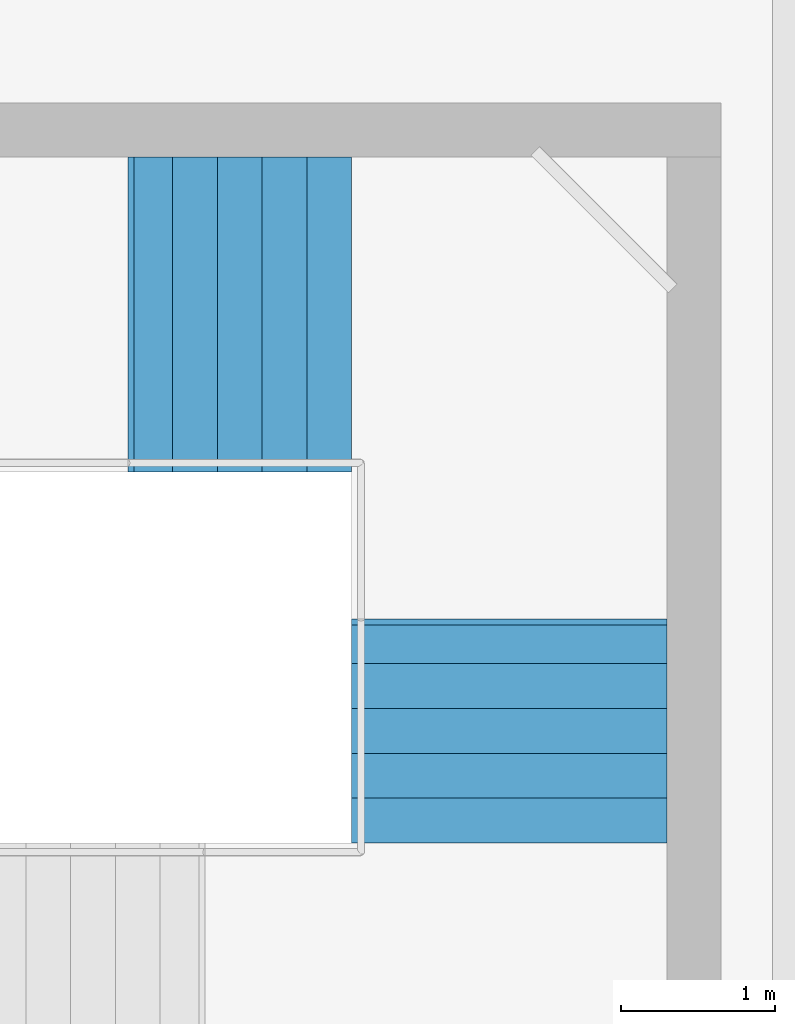
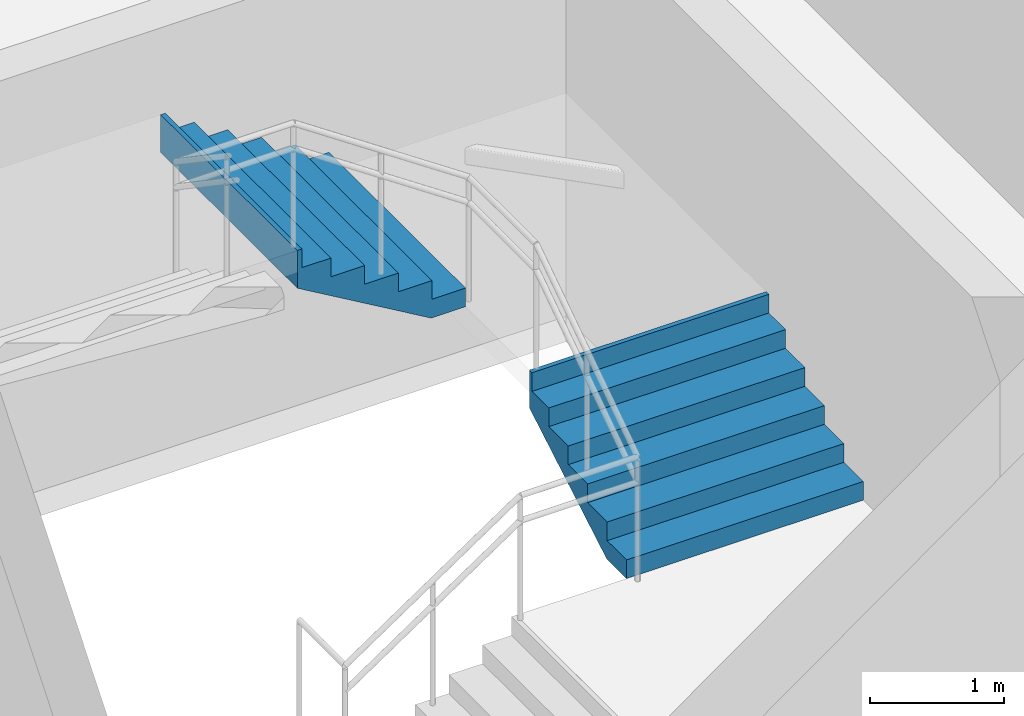
# One storey, part 63 of 66: 2 stair flights, 1 element without a shape of its own.
"""IFC4 building model written with IfcOpenShell, lengths in metres."""

from ifc_helpers import new_model, si_unit, direction, frame, origin, place, context, subcontext, project, spatial, triangles, material, type_object, element, aggregate, save


model = new_model("IFC4")

# Units and contexts
model_context = context("Model", 3, precision=1e-05, world=origin(), true_north=direction((0.0, 1.0)))
body_context = subcontext(model_context, "Body", "Model", "MODEL_VIEW")
ifc_project = project(units=[si_unit("LENGTHUNIT", "METRE"), si_unit("AREAUNIT", "SQUARE_METRE"), si_unit("VOLUMEUNIT", "CUBIC_METRE"), si_unit("PLANEANGLEUNIT", "RADIAN"), si_unit("MASSUNIT", "GRAM", prefix="KILO")], contexts=[model_context])

# Site, building, storey
site_placement = place(None, origin())
site = spatial("IfcSite", under=ifc_project, at=site_placement, CompositionType="ELEMENT")
building_placement = place(site_placement, origin())
building = spatial("IfcBuilding", under=site, at=building_placement, Name="Sillaruma Civic Art Gallery", CompositionType="ELEMENT")
storey_placement = place(building_placement, frame((0.0, 0.0, 62.219970703125)))
storey = spatial("IfcBuildingStorey", under=building, at=storey_placement, Name="L12", CompositionType="ELEMENT", Elevation=62.219970703125)

# Stair, stair flights
ifc_material = material(Name="Concrete H35 (35 MPa)", Category="concrete")
stair_type = type_object("IfcStairType", Name="STR-4F-24", PredefinedType="USERDEFINED", material=ifc_material)
stair_placement = place(storey_placement, origin())
stair = element("IfcStair", 1, at=stair_placement, inside=storey, type_object=stair_type, Name="Protected Exit Stair ST-04 (East Bar) (L12)", ObjectType="THREE_RETURN_STAIR", PredefinedType="USERDEFINED")
stair_flight_type = type_object("IfcStairFlightType", Name="SFL-STR-6", PredefinedType="STRAIGHT", material=ifc_material)
stair_flight_1_placement = place(storey_placement, frame((104.320068359375, 53.25, 1.02001953125), z_axis=(0.0, 0.0, 1.0), x_axis=(0.0, 1.0, 0.0)))
stair_flight_1 = element("IfcStairFlight", 2, at=stair_flight_1_placement, type_object=stair_flight_type, Name="ST-04 flight 2", NumberOfRisers=6, NumberOfTreads=5, PredefinedType="STRAIGHT", RiserHeight=0.17, TreadLength=0.29, context=body_context, shape_type="Tessellation", body=[
    triangles([(0.0, -1.02001953125, 0.0), (0.29, -1.02001953125, 0.0), (0.296365, -1.02001953125, 0.0), (0.58, -1.02001953125, 0.166269), (0.87, -1.02001953125, 0.336269), (1.16, -1.02001953125, 0.506269), (1.409951, -1.02001953125, 0.652792), (1.449951, -1.02001953125, 0.67624), (1.449951, -1.02001953125, 1.02), (1.409951, -1.02001953125, 1.02), (1.409951, -1.02001953125, 0.85), (1.16, -1.02001953125, 0.85), (1.16, -1.02001953125, 0.68), (0.87, -1.02001953125, 0.68), (0.87, -1.02001953125, 0.51), (0.58, -1.02001953125, 0.51), (0.58, -1.02001953125, 0.34), (0.296365, -1.02001953125, 0.34), (0.29, -1.02001953125, 0.34), (0.29, -1.02001953125, 0.17), (0.0, -1.02001953125, 0.17), (0.0, -0.05, 0.0), (0.29, -0.05, 0.0), (0.296365, -0.05, 0.0), (0.58, -0.05, 0.166269), (0.87, -0.05, 0.336269), (1.16, -0.05, 0.506269), (1.409951, -0.05, 0.652792), (1.449951, -0.05, 0.67624), (1.449951, -0.05, 1.02), (1.409951, -0.05, 1.02), (1.409951, -0.05, 0.85), (1.16, -0.05, 0.85), (1.16, -0.05, 0.68), (0.87, -0.05, 0.68), (0.87, -0.05, 0.51), (0.58, -0.05, 0.51), (0.58, -0.05, 0.34), (0.296365, -0.05, 0.34), (0.29, -0.05, 0.34), (0.29, -0.05, 0.17), (0.0, -0.05, 0.17), (0.0, -0.0375, 0.0), (0.29, -0.0375, 0.0), (0.296365, -0.0375, 0.0), (0.58, -0.0375, 0.166269), (0.87, -0.0375, 0.336269), (1.16, -0.0375, 0.506269), (1.409951, -0.0375, 0.652792), (1.449951, -0.0375, 0.67624), (1.449951, -0.0375, 1.02), (1.409951, -0.0375, 1.02), (1.409951, -0.0375, 0.85), (1.16, -0.0375, 0.85), (1.16, -0.0375, 0.68), (0.87, -0.0375, 0.68), (0.87, -0.0375, 0.51), (0.58, -0.0375, 0.51), (0.58, -0.0375, 0.34), (0.296365, -0.0375, 0.34), (0.29, -0.0375, 0.34), (0.29, -0.0375, 0.17), (0.0, -0.0375, 0.17), (0.0, -0.025, 0.0), (0.29, -0.025, 0.0), (0.296365, -0.025, 0.0), (0.58, -0.025, 0.166269), (0.87, -0.025, 0.336269), (1.16, -0.025, 0.506269), (1.409951, -0.025, 0.652792), (1.449951, -0.025, 0.67624), (1.449951, -0.025, 1.02), (1.409951, -0.025, 1.02), (1.409951, -0.025, 0.85), (1.16, -0.025, 0.85), (1.16, -0.025, 0.68), (0.87, -0.025, 0.68), (0.87, -0.025, 0.51), (0.58, -0.025, 0.51), (0.58, -0.025, 0.34), (0.296365, -0.025, 0.34), (0.29, -0.025, 0.34), (0.29, -0.025, 0.17), (0.0, -0.025, 0.17), (0.0, -0.0125, 0.0), (0.29, -0.0125, 0.0), (0.296365, -0.0125, 0.0), (0.58, -0.0125, 0.166269), (0.87, -0.0125, 0.336269), (1.16, -0.0125, 0.506269), (1.409951, -0.0125, 0.652792), (1.449951, -0.0125, 0.67624), (1.449951, -0.0125, 1.02), (1.409951, -0.0125, 1.02), (1.409951, -0.0125, 0.85), (1.16, -0.0125, 0.85), (1.16, -0.0125, 0.68), (0.87, -0.0125, 0.68), (0.87, -0.0125, 0.51), (0.58, -0.0125, 0.51), (0.58, -0.0125, 0.34), (0.296365, -0.0125, 0.34), (0.29, -0.0125, 0.34), (0.29, -0.0125, 0.17), (0.0, -0.0125, 0.17), (0.0, 0.0, 0.0), (0.29, 0.0, 0.0), (0.296365, 0.0, 0.0), (0.58, 0.0, 0.166269), (0.87, 0.0, 0.336269), (1.16, 0.0, 0.506269), (1.409951, 0.0, 0.652792), (1.449951, 0.0, 0.67624), (1.449951, 0.0, 1.02), (1.409951, 0.0, 1.02), (1.409951, 0.0, 0.85), (1.16, 0.0, 0.85), (1.16, 0.0, 0.68), (0.87, 0.0, 0.68), (0.87, 0.0, 0.51), (0.58, 0.0, 0.51), (0.58, 0.0, 0.34), (0.296365, 0.0, 0.34), (0.29, 0.0, 0.34), (0.29, 0.0, 0.17), (0.0, 0.0, 0.17), (0.0, 0.0125, 0.0), (0.29, 0.0125, 0.0), (0.296365, 0.0125, 0.0), (0.58, 0.0125, 0.166269), (0.87, 0.0125, 0.336269), (1.16, 0.0125, 0.506269), (1.409951, 0.0125, 0.652792), (1.449951, 0.0125, 0.67624), (1.449951, 0.0125, 1.02), (1.409951, 0.0125, 1.02), (1.409951, 0.0125, 0.85), (1.16, 0.0125, 0.85), (1.16, 0.0125, 0.68), (0.87, 0.0125, 0.68), (0.87, 0.0125, 0.51), (0.58, 0.0125, 0.51), (0.58, 0.0125, 0.34), (0.296365, 0.0125, 0.34), (0.29, 0.0125, 0.34), (0.29, 0.0125, 0.17), (0.0, 0.0125, 0.17), (0.0, 0.025, 0.0), (0.29, 0.025, 0.0), (0.296365, 0.025, 0.0), (0.58, 0.025, 0.166269), (0.87, 0.025, 0.336269), (1.16, 0.025, 0.506269), (1.409951, 0.025, 0.652792), (1.449951, 0.025, 0.67624), (1.449951, 0.025, 1.02), (1.409951, 0.025, 1.02), (1.409951, 0.025, 0.85), (1.16, 0.025, 0.85), (1.16, 0.025, 0.68), (0.87, 0.025, 0.68), (0.87, 0.025, 0.51), (0.58, 0.025, 0.51), (0.58, 0.025, 0.34), (0.296365, 0.025, 0.34), (0.29, 0.025, 0.34), (0.29, 0.025, 0.17), (0.0, 0.025, 0.17), (0.0, 0.0375, 0.0), (0.29, 0.0375, 0.0), (0.296365, 0.0375, 0.0), (0.58, 0.0375, 0.166269), (0.87, 0.0375, 0.336269), (1.16, 0.0375, 0.506269), (1.409951, 0.0375, 0.652792), (1.449951, 0.0375, 0.67624), (1.449951, 0.0375, 1.02), (1.409951, 0.0375, 1.02), (1.409951, 0.0375, 0.85), (1.16, 0.0375, 0.85), (1.16, 0.0375, 0.68), (0.87, 0.0375, 0.68), (0.87, 0.0375, 0.51), (0.58, 0.0375, 0.51), (0.58, 0.0375, 0.34), (0.296365, 0.0375, 0.34), (0.29, 0.0375, 0.34), (0.29, 0.0375, 0.17), (0.0, 0.0375, 0.17), (0.0, 0.05, 0.0), (0.29, 0.05, 0.0), (0.296365, 0.05, 0.0), (0.58, 0.05, 0.166269), (0.87, 0.05, 0.336269), (1.16, 0.05, 0.506269), (1.409951, 0.05, 0.652792), (1.449951, 0.05, 0.67624), (1.449951, 0.05, 1.02), (1.409951, 0.05, 1.02), (1.409951, 0.05, 0.85), (1.16, 0.05, 0.85), (1.16, 0.05, 0.68), (0.87, 0.05, 0.68), (0.87, 0.05, 0.51), (0.58, 0.05, 0.51), (0.58, 0.05, 0.34), (0.296365, 0.05, 0.34), (0.29, 0.05, 0.34), (0.29, 0.05, 0.17), (0.0, 0.05, 0.17), (0.0, 1.02001953125, 0.0), (0.29, 1.02001953125, 0.0), (0.296365, 1.02001953125, 0.0), (0.58, 1.02001953125, 0.166269), (0.87, 1.02001953125, 0.336269), (1.16, 1.02001953125, 0.506269), (1.409951, 1.02001953125, 0.652792), (1.449951, 1.02001953125, 0.67624), (1.449951, 1.02001953125, 1.02), (1.409951, 1.02001953125, 1.02), (1.409951, 1.02001953125, 0.85), (1.16, 1.02001953125, 0.85), (1.16, 1.02001953125, 0.68), (0.87, 1.02001953125, 0.68), (0.87, 1.02001953125, 0.51), (0.58, 1.02001953125, 0.51), (0.58, 1.02001953125, 0.34), (0.296365, 1.02001953125, 0.34), (0.29, 1.02001953125, 0.34), (0.29, 1.02001953125, 0.17), (0.0, 1.02001953125, 0.17)], [[1, 2, 20], [1, 20, 21], [2, 3, 18], [2, 18, 20], [20, 18, 19], [3, 4, 17], [3, 17, 18], [4, 5, 15], [4, 15, 17], [17, 15, 16], [5, 6, 13], [5, 13, 15], [15, 13, 14], [6, 7, 11], [6, 11, 13], [13, 11, 12], [7, 8, 9], [7, 9, 11], [11, 9, 10], [230, 212, 211], [231, 230, 211], [228, 213, 212], [230, 228, 212], [229, 228, 230], [227, 214, 213], [228, 227, 213], [225, 215, 214], [227, 225, 214], [226, 225, 227], [223, 216, 215], [225, 223, 215], [224, 223, 225], [221, 217, 216], [223, 221, 216], [222, 221, 223], [219, 218, 217], [221, 219, 217], [220, 219, 221], [2, 1, 22], [2, 22, 23], [3, 2, 23], [3, 23, 24], [4, 3, 24], [4, 24, 25], [5, 4, 25], [5, 25, 26], [6, 5, 26], [6, 26, 27], [7, 6, 27], [7, 27, 28], [8, 7, 28], [8, 28, 29], [9, 8, 29], [9, 29, 30], [10, 9, 30], [10, 30, 31], [11, 10, 31], [11, 31, 32], [12, 11, 32], [12, 32, 33], [13, 12, 33], [13, 33, 34], [14, 13, 34], [14, 34, 35], [15, 14, 35], [15, 35, 36], [16, 15, 36], [16, 36, 37], [17, 16, 37], [17, 37, 38], [18, 17, 38], [18, 38, 39], [19, 18, 39], [19, 39, 40], [20, 19, 40], [20, 40, 41], [21, 20, 41], [21, 41, 42], [1, 21, 42], [1, 42, 22], [23, 22, 43], [23, 43, 44], [24, 23, 44], [24, 44, 45], [25, 24, 45], [25, 45, 46], [26, 25, 46], [26, 46, 47], [27, 26, 47], [27, 47, 48], [28, 27, 48], [28, 48, 49], [29, 28, 49], [29, 49, 50], [30, 29, 50], [30, 50, 51], [31, 30, 51], [31, 51, 52], [32, 31, 52], [32, 52, 53], [33, 32, 53], [33, 53, 54], [34, 33, 54], [34, 54, 55], [35, 34, 55], [35, 55, 56], [36, 35, 56], [36, 56, 57], [37, 36, 57], [37, 57, 58], [38, 37, 58], [38, 58, 59], [39, 38, 59], [39, 59, 60], [40, 39, 60], [40, 60, 61], [41, 40, 61], [41, 61, 62], [42, 41, 62], [42, 62, 63], [22, 42, 63], [22, 63, 43], [44, 43, 64], [44, 64, 65], [45, 44, 65], [45, 65, 66], [46, 45, 66], [46, 66, 67], [47, 46, 67], [47, 67, 68], [48, 47, 68], [48, 68, 69], [49, 48, 69], [49, 69, 70], [50, 49, 70], [50, 70, 71], [51, 50, 71], [51, 71, 72], [52, 51, 72], [52, 72, 73], [53, 52, 73], [53, 73, 74], [54, 53, 74], [54, 74, 75], [55, 54, 75], [55, 75, 76], [56, 55, 76], [56, 76, 77], [57, 56, 77], [57, 77, 78], [58, 57, 78], [58, 78, 79], [59, 58, 79], [59, 79, 80], [60, 59, 80], [60, 80, 81], [61, 60, 81], [61, 81, 82], [62, 61, 82], [62, 82, 83], [63, 62, 83], [63, 83, 84], [43, 63, 84], [43, 84, 64], [65, 64, 85], [65, 85, 86], [66, 65, 86], [66, 86, 87], [67, 66, 87], [67, 87, 88], [68, 67, 88], [68, 88, 89], [69, 68, 89], [69, 89, 90], [70, 69, 90], [70, 90, 91], [71, 70, 91], [71, 91, 92], [72, 71, 92], [72, 92, 93], [73, 72, 93], [73, 93, 94], [74, 73, 94], [74, 94, 95], [75, 74, 95], [75, 95, 96], [76, 75, 96], [76, 96, 97], [77, 76, 97], [77, 97, 98], [78, 77, 98], [78, 98, 99], [79, 78, 99], [79, 99, 100], [80, 79, 100], [80, 100, 101], [81, 80, 101], [81, 101, 102], [82, 81, 102], [82, 102, 103], [83, 82, 103], [83, 103, 104], [84, 83, 104], [84, 104, 105], [64, 84, 105], [64, 105, 85], [86, 85, 106], [86, 106, 107], [87, 86, 107], [87, 107, 108], [88, 87, 108], [88, 108, 109], [89, 88, 109], [89, 109, 110], [90, 89, 110], [90, 110, 111], [91, 90, 111], [91, 111, 112], [92, 91, 112], [92, 112, 113], [93, 92, 113], [93, 113, 114], [94, 93, 114], [94, 114, 115], [95, 94, 115], [95, 115, 116], [96, 95, 116], [96, 116, 117], [97, 96, 117], [97, 117, 118], [98, 97, 118], [98, 118, 119], [99, 98, 119], [99, 119, 120], [100, 99, 120], [100, 120, 121], [101, 100, 121], [101, 121, 122], [102, 101, 122], [102, 122, 123], [103, 102, 123], [103, 123, 124], [104, 103, 124], [104, 124, 125], [105, 104, 125], [105, 125, 126], [85, 105, 126], [85, 126, 106], [107, 106, 127], [107, 127, 128], [108, 107, 128], [108, 128, 129], [109, 108, 129], [109, 129, 130], [110, 109, 130], [110, 130, 131], [111, 110, 131], [111, 131, 132], [112, 111, 132], [112, 132, 133], [113, 112, 133], [113, 133, 134], [114, 113, 134], [114, 134, 135], [115, 114, 135], [115, 135, 136], [116, 115, 136], [116, 136, 137], [117, 116, 137], [117, 137, 138], [118, 117, 138], [118, 138, 139], [119, 118, 139], [119, 139, 140], [120, 119, 140], [120, 140, 141], [121, 120, 141], [121, 141, 142], [122, 121, 142], [122, 142, 143], [123, 122, 143], [123, 143, 144], [124, 123, 144], [124, 144, 145], [125, 124, 145], [125, 145, 146], [126, 125, 146], [126, 146, 147], [106, 126, 147], [106, 147, 127], [128, 127, 148], [128, 148, 149], [129, 128, 149], [129, 149, 150], [130, 129, 150], [130, 150, 151], [131, 130, 151], [131, 151, 152], [132, 131, 152], [132, 152, 153], [133, 132, 153], [133, 153, 154], [134, 133, 154], [134, 154, 155], [135, 134, 155], [135, 155, 156], [136, 135, 156], [136, 156, 157], [137, 136, 157], [137, 157, 158], [138, 137, 158], [138, 158, 159], [139, 138, 159], [139, 159, 160], [140, 139, 160], [140, 160, 161], [141, 140, 161], [141, 161, 162], [142, 141, 162], [142, 162, 163], [143, 142, 163], [143, 163, 164], [144, 143, 164], [144, 164, 165], [145, 144, 165], [145, 165, 166], [146, 145, 166], [146, 166, 167], [147, 146, 167], [147, 167, 168], [127, 147, 168], [127, 168, 148], [149, 148, 169], [149, 169, 170], [150, 149, 170], [150, 170, 171], [151, 150, 171], [151, 171, 172], [152, 151, 172], [152, 172, 173], [153, 152, 173], [153, 173, 174], [154, 153, 174], [154, 174, 175], [155, 154, 175], [155, 175, 176], [156, 155, 176], [156, 176, 177], [157, 156, 177], [157, 177, 178], [158, 157, 178], [158, 178, 179], [159, 158, 179], [159, 179, 180], [160, 159, 180], [160, 180, 181], [161, 160, 181], [161, 181, 182], [162, 161, 182], [162, 182, 183], [163, 162, 183], [163, 183, 184], [164, 163, 184], [164, 184, 185], [165, 164, 185], [165, 185, 186], [166, 165, 186], [166, 186, 187], [167, 166, 187], [167, 187, 188], [168, 167, 188], [168, 188, 189], [148, 168, 189], [148, 189, 169], [170, 169, 190], [170, 190, 191], [171, 170, 191], [171, 191, 192], [172, 171, 192], [172, 192, 193], [173, 172, 193], [173, 193, 194], [174, 173, 194], [174, 194, 195], [175, 174, 195], [175, 195, 196], [176, 175, 196], [176, 196, 197], [177, 176, 197], [177, 197, 198], [178, 177, 198], [178, 198, 199], [179, 178, 199], [179, 199, 200], [180, 179, 200], [180, 200, 201], [181, 180, 201], [181, 201, 202], [182, 181, 202], [182, 202, 203], [183, 182, 203], [183, 203, 204], [184, 183, 204], [184, 204, 205], [185, 184, 205], [185, 205, 206], [186, 185, 206], [186, 206, 207], [187, 186, 207], [187, 207, 208], [188, 187, 208], [188, 208, 209], [189, 188, 209], [189, 209, 210], [169, 189, 210], [169, 210, 190], [191, 190, 211], [191, 211, 212], [192, 191, 212], [192, 212, 213], [193, 192, 213], [193, 213, 214], [194, 193, 214], [194, 214, 215], [195, 194, 215], [195, 215, 216], [196, 195, 216], [196, 216, 217], [197, 196, 217], [197, 217, 218], [198, 197, 218], [198, 218, 219], [199, 198, 219], [199, 219, 220], [200, 199, 220], [200, 220, 221], [201, 200, 221], [201, 221, 222], [202, 201, 222], [202, 222, 223], [203, 202, 223], [203, 223, 224], [204, 203, 224], [204, 224, 225], [205, 204, 225], [205, 225, 226], [206, 205, 226], [206, 226, 227], [207, 206, 227], [207, 227, 228], [208, 207, 228], [208, 228, 229], [209, 208, 229], [209, 229, 230], [210, 209, 230], [210, 230, 231], [190, 210, 231], [190, 231, 211]], closed=True),
])
stair_flight_2_placement = place(storey_placement, frame((103.300048828125, 56.669921875, 2.0400390625), z_axis=(0.0, 0.0, 1.0), x_axis=(-1.0, 0.0, 0.0)))
stair_flight_2 = element("IfcStairFlight", 3, at=stair_flight_2_placement, type_object=stair_flight_type, Name="ST-04 flight 3", NumberOfRisers=6, NumberOfTreads=5, PredefinedType="STRAIGHT", RiserHeight=0.17, TreadLength=0.29, context=body_context, shape_type="Tessellation", body=[
    triangles([(0.0, -1.02001953125, 0.0), (0.29, -1.02001953125, 0.0), (0.296365, -1.02001953125, 0.0), (0.58, -1.02001953125, 0.166269), (0.87, -1.02001953125, 0.336269), (1.16, -1.02001953125, 0.506269), (1.409951, -1.02001953125, 0.652792), (1.449951, -1.02001953125, 0.67624), (1.449951, -1.02001953125, 1.02), (1.409951, -1.02001953125, 1.02), (1.409951, -1.02001953125, 0.85), (1.16, -1.02001953125, 0.85), (1.16, -1.02001953125, 0.68), (0.87, -1.02001953125, 0.68), (0.87, -1.02001953125, 0.51), (0.58, -1.02001953125, 0.51), (0.58, -1.02001953125, 0.34), (0.296365, -1.02001953125, 0.34), (0.29, -1.02001953125, 0.34), (0.29, -1.02001953125, 0.17), (0.0, -1.02001953125, 0.17), (0.0, -0.05, 0.0), (0.29, -0.05, 0.0), (0.296365, -0.05, 0.0), (0.58, -0.05, 0.166269), (0.87, -0.05, 0.336269), (1.16, -0.05, 0.506269), (1.409951, -0.05, 0.652792), (1.449951, -0.05, 0.67624), (1.449951, -0.05, 1.02), (1.409951, -0.05, 1.02), (1.409951, -0.05, 0.85), (1.16, -0.05, 0.85), (1.16, -0.05, 0.68), (0.87, -0.05, 0.68), (0.87, -0.05, 0.51), (0.58, -0.05, 0.51), (0.58, -0.05, 0.34), (0.296365, -0.05, 0.34), (0.29, -0.05, 0.34), (0.29, -0.05, 0.17), (0.0, -0.05, 0.17), (0.0, -0.0375, 0.0), (0.29, -0.0375, 0.0), (0.296365, -0.0375, 0.0), (0.58, -0.0375, 0.166269), (0.87, -0.0375, 0.336269), (1.16, -0.0375, 0.506269), (1.409951, -0.0375, 0.652792), (1.449951, -0.0375, 0.67624), (1.449951, -0.0375, 1.02), (1.409951, -0.0375, 1.02), (1.409951, -0.0375, 0.85), (1.16, -0.0375, 0.85), (1.16, -0.0375, 0.68), (0.87, -0.0375, 0.68), (0.87, -0.0375, 0.51), (0.58, -0.0375, 0.51), (0.58, -0.0375, 0.34), (0.296365, -0.0375, 0.34), (0.29, -0.0375, 0.34), (0.29, -0.0375, 0.17), (0.0, -0.0375, 0.17), (0.0, -0.025, 0.0), (0.29, -0.025, 0.0), (0.296365, -0.025, 0.0), (0.58, -0.025, 0.166269), (0.87, -0.025, 0.336269), (1.16, -0.025, 0.506269), (1.409951, -0.025, 0.652792), (1.449951, -0.025, 0.67624), (1.449951, -0.025, 1.02), (1.409951, -0.025, 1.02), (1.409951, -0.025, 0.85), (1.16, -0.025, 0.85), (1.16, -0.025, 0.68), (0.87, -0.025, 0.68), (0.87, -0.025, 0.51), (0.58, -0.025, 0.51), (0.58, -0.025, 0.34), (0.296365, -0.025, 0.34), (0.29, -0.025, 0.34), (0.29, -0.025, 0.17), (0.0, -0.025, 0.17), (0.0, -0.0125, 0.0), (0.29, -0.0125, 0.0), (0.296365, -0.0125, 0.0), (0.58, -0.0125, 0.166269), (0.87, -0.0125, 0.336269), (1.16, -0.0125, 0.506269), (1.409951, -0.0125, 0.652792), (1.449951, -0.0125, 0.67624), (1.449951, -0.0125, 1.02), (1.409951, -0.0125, 1.02), (1.409951, -0.0125, 0.85), (1.16, -0.0125, 0.85), (1.16, -0.0125, 0.68), (0.87, -0.0125, 0.68), (0.87, -0.0125, 0.51), (0.58, -0.0125, 0.51), (0.58, -0.0125, 0.34), (0.296365, -0.0125, 0.34), (0.29, -0.0125, 0.34), (0.29, -0.0125, 0.17), (0.0, -0.0125, 0.17), (0.0, 0.0, 0.0), (0.29, 0.0, 0.0), (0.296365, 0.0, 0.0), (0.58, 0.0, 0.166269), (0.87, 0.0, 0.336269), (1.16, 0.0, 0.506269), (1.409951, 0.0, 0.652792), (1.449951, 0.0, 0.67624), (1.449951, 0.0, 1.02), (1.409951, 0.0, 1.02), (1.409951, 0.0, 0.85), (1.16, 0.0, 0.85), (1.16, 0.0, 0.68), (0.87, 0.0, 0.68), (0.87, 0.0, 0.51), (0.58, 0.0, 0.51), (0.58, 0.0, 0.34), (0.296365, 0.0, 0.34), (0.29, 0.0, 0.34), (0.29, 0.0, 0.17), (0.0, 0.0, 0.17), (0.0, 0.0125, 0.0), (0.29, 0.0125, 0.0), (0.296365, 0.0125, 0.0), (0.58, 0.0125, 0.166269), (0.87, 0.0125, 0.336269), (1.16, 0.0125, 0.506269), (1.409951, 0.0125, 0.652792), (1.449951, 0.0125, 0.67624), (1.449951, 0.0125, 1.02), (1.409951, 0.0125, 1.02), (1.409951, 0.0125, 0.85), (1.16, 0.0125, 0.85), (1.16, 0.0125, 0.68), (0.87, 0.0125, 0.68), (0.87, 0.0125, 0.51), (0.58, 0.0125, 0.51), (0.58, 0.0125, 0.34), (0.296365, 0.0125, 0.34), (0.29, 0.0125, 0.34), (0.29, 0.0125, 0.17), (0.0, 0.0125, 0.17), (0.0, 0.025, 0.0), (0.29, 0.025, 0.0), (0.296365, 0.025, 0.0), (0.58, 0.025, 0.166269), (0.87, 0.025, 0.336269), (1.16, 0.025, 0.506269), (1.409951, 0.025, 0.652792), (1.449951, 0.025, 0.67624), (1.449951, 0.025, 1.02), (1.409951, 0.025, 1.02), (1.409951, 0.025, 0.85), (1.16, 0.025, 0.85), (1.16, 0.025, 0.68), (0.87, 0.025, 0.68), (0.87, 0.025, 0.51), (0.58, 0.025, 0.51), (0.58, 0.025, 0.34), (0.296365, 0.025, 0.34), (0.29, 0.025, 0.34), (0.29, 0.025, 0.17), (0.0, 0.025, 0.17), (0.0, 0.0375, 0.0), (0.29, 0.0375, 0.0), (0.296365, 0.0375, 0.0), (0.58, 0.0375, 0.166269), (0.87, 0.0375, 0.336269), (1.16, 0.0375, 0.506269), (1.409951, 0.0375, 0.652792), (1.449951, 0.0375, 0.67624), (1.449951, 0.0375, 1.02), (1.409951, 0.0375, 1.02), (1.409951, 0.0375, 0.85), (1.16, 0.0375, 0.85), (1.16, 0.0375, 0.68), (0.87, 0.0375, 0.68), (0.87, 0.0375, 0.51), (0.58, 0.0375, 0.51), (0.58, 0.0375, 0.34), (0.296365, 0.0375, 0.34), (0.29, 0.0375, 0.34), (0.29, 0.0375, 0.17), (0.0, 0.0375, 0.17), (0.0, 0.05, 0.0), (0.29, 0.05, 0.0), (0.296365, 0.05, 0.0), (0.58, 0.05, 0.166269), (0.87, 0.05, 0.336269), (1.16, 0.05, 0.506269), (1.409951, 0.05, 0.652792), (1.449951, 0.05, 0.67624), (1.449951, 0.05, 1.02), (1.409951, 0.05, 1.02), (1.409951, 0.05, 0.85), (1.16, 0.05, 0.85), (1.16, 0.05, 0.68), (0.87, 0.05, 0.68), (0.87, 0.05, 0.51), (0.58, 0.05, 0.51), (0.58, 0.05, 0.34), (0.296365, 0.05, 0.34), (0.29, 0.05, 0.34), (0.29, 0.05, 0.17), (0.0, 0.05, 0.17), (0.0, 1.02001953125, 0.0), (0.29, 1.02001953125, 0.0), (0.296365, 1.02001953125, 0.0), (0.58, 1.02001953125, 0.166269), (0.87, 1.02001953125, 0.336269), (1.16, 1.02001953125, 0.506269), (1.409951, 1.02001953125, 0.652792), (1.449951, 1.02001953125, 0.67624), (1.449951, 1.02001953125, 1.02), (1.409951, 1.02001953125, 1.02), (1.409951, 1.02001953125, 0.85), (1.16, 1.02001953125, 0.85), (1.16, 1.02001953125, 0.68), (0.87, 1.02001953125, 0.68), (0.87, 1.02001953125, 0.51), (0.58, 1.02001953125, 0.51), (0.58, 1.02001953125, 0.34), (0.296365, 1.02001953125, 0.34), (0.29, 1.02001953125, 0.34), (0.29, 1.02001953125, 0.17), (0.0, 1.02001953125, 0.17)], [[1, 2, 20], [1, 20, 21], [2, 3, 18], [2, 18, 20], [20, 18, 19], [3, 4, 17], [3, 17, 18], [4, 5, 15], [4, 15, 17], [17, 15, 16], [5, 6, 13], [5, 13, 15], [15, 13, 14], [6, 7, 11], [6, 11, 13], [13, 11, 12], [7, 8, 9], [7, 9, 11], [11, 9, 10], [230, 212, 211], [231, 230, 211], [228, 213, 212], [230, 228, 212], [229, 228, 230], [227, 214, 213], [228, 227, 213], [225, 215, 214], [227, 225, 214], [226, 225, 227], [223, 216, 215], [225, 223, 215], [224, 223, 225], [221, 217, 216], [223, 221, 216], [222, 221, 223], [219, 218, 217], [221, 219, 217], [220, 219, 221], [2, 1, 22], [2, 22, 23], [3, 2, 23], [3, 23, 24], [4, 3, 24], [4, 24, 25], [5, 4, 25], [5, 25, 26], [6, 5, 26], [6, 26, 27], [7, 6, 27], [7, 27, 28], [8, 7, 28], [8, 28, 29], [9, 8, 29], [9, 29, 30], [10, 9, 30], [10, 30, 31], [11, 10, 31], [11, 31, 32], [12, 11, 32], [12, 32, 33], [13, 12, 33], [13, 33, 34], [14, 13, 34], [14, 34, 35], [15, 14, 35], [15, 35, 36], [16, 15, 36], [16, 36, 37], [17, 16, 37], [17, 37, 38], [18, 17, 38], [18, 38, 39], [19, 18, 39], [19, 39, 40], [20, 19, 40], [20, 40, 41], [21, 20, 41], [21, 41, 42], [1, 21, 42], [1, 42, 22], [23, 22, 43], [23, 43, 44], [24, 23, 44], [24, 44, 45], [25, 24, 45], [25, 45, 46], [26, 25, 46], [26, 46, 47], [27, 26, 47], [27, 47, 48], [28, 27, 48], [28, 48, 49], [29, 28, 49], [29, 49, 50], [30, 29, 50], [30, 50, 51], [31, 30, 51], [31, 51, 52], [32, 31, 52], [32, 52, 53], [33, 32, 53], [33, 53, 54], [34, 33, 54], [34, 54, 55], [35, 34, 55], [35, 55, 56], [36, 35, 56], [36, 56, 57], [37, 36, 57], [37, 57, 58], [38, 37, 58], [38, 58, 59], [39, 38, 59], [39, 59, 60], [40, 39, 60], [40, 60, 61], [41, 40, 61], [41, 61, 62], [42, 41, 62], [42, 62, 63], [22, 42, 63], [22, 63, 43], [44, 43, 64], [44, 64, 65], [45, 44, 65], [45, 65, 66], [46, 45, 66], [46, 66, 67], [47, 46, 67], [47, 67, 68], [48, 47, 68], [48, 68, 69], [49, 48, 69], [49, 69, 70], [50, 49, 70], [50, 70, 71], [51, 50, 71], [51, 71, 72], [52, 51, 72], [52, 72, 73], [53, 52, 73], [53, 73, 74], [54, 53, 74], [54, 74, 75], [55, 54, 75], [55, 75, 76], [56, 55, 76], [56, 76, 77], [57, 56, 77], [57, 77, 78], [58, 57, 78], [58, 78, 79], [59, 58, 79], [59, 79, 80], [60, 59, 80], [60, 80, 81], [61, 60, 81], [61, 81, 82], [62, 61, 82], [62, 82, 83], [63, 62, 83], [63, 83, 84], [43, 63, 84], [43, 84, 64], [65, 64, 85], [65, 85, 86], [66, 65, 86], [66, 86, 87], [67, 66, 87], [67, 87, 88], [68, 67, 88], [68, 88, 89], [69, 68, 89], [69, 89, 90], [70, 69, 90], [70, 90, 91], [71, 70, 91], [71, 91, 92], [72, 71, 92], [72, 92, 93], [73, 72, 93], [73, 93, 94], [74, 73, 94], [74, 94, 95], [75, 74, 95], [75, 95, 96], [76, 75, 96], [76, 96, 97], [77, 76, 97], [77, 97, 98], [78, 77, 98], [78, 98, 99], [79, 78, 99], [79, 99, 100], [80, 79, 100], [80, 100, 101], [81, 80, 101], [81, 101, 102], [82, 81, 102], [82, 102, 103], [83, 82, 103], [83, 103, 104], [84, 83, 104], [84, 104, 105], [64, 84, 105], [64, 105, 85], [86, 85, 106], [86, 106, 107], [87, 86, 107], [87, 107, 108], [88, 87, 108], [88, 108, 109], [89, 88, 109], [89, 109, 110], [90, 89, 110], [90, 110, 111], [91, 90, 111], [91, 111, 112], [92, 91, 112], [92, 112, 113], [93, 92, 113], [93, 113, 114], [94, 93, 114], [94, 114, 115], [95, 94, 115], [95, 115, 116], [96, 95, 116], [96, 116, 117], [97, 96, 117], [97, 117, 118], [98, 97, 118], [98, 118, 119], [99, 98, 119], [99, 119, 120], [100, 99, 120], [100, 120, 121], [101, 100, 121], [101, 121, 122], [102, 101, 122], [102, 122, 123], [103, 102, 123], [103, 123, 124], [104, 103, 124], [104, 124, 125], [105, 104, 125], [105, 125, 126], [85, 105, 126], [85, 126, 106], [107, 106, 127], [107, 127, 128], [108, 107, 128], [108, 128, 129], [109, 108, 129], [109, 129, 130], [110, 109, 130], [110, 130, 131], [111, 110, 131], [111, 131, 132], [112, 111, 132], [112, 132, 133], [113, 112, 133], [113, 133, 134], [114, 113, 134], [114, 134, 135], [115, 114, 135], [115, 135, 136], [116, 115, 136], [116, 136, 137], [117, 116, 137], [117, 137, 138], [118, 117, 138], [118, 138, 139], [119, 118, 139], [119, 139, 140], [120, 119, 140], [120, 140, 141], [121, 120, 141], [121, 141, 142], [122, 121, 142], [122, 142, 143], [123, 122, 143], [123, 143, 144], [124, 123, 144], [124, 144, 145], [125, 124, 145], [125, 145, 146], [126, 125, 146], [126, 146, 147], [106, 126, 147], [106, 147, 127], [128, 127, 148], [128, 148, 149], [129, 128, 149], [129, 149, 150], [130, 129, 150], [130, 150, 151], [131, 130, 151], [131, 151, 152], [132, 131, 152], [132, 152, 153], [133, 132, 153], [133, 153, 154], [134, 133, 154], [134, 154, 155], [135, 134, 155], [135, 155, 156], [136, 135, 156], [136, 156, 157], [137, 136, 157], [137, 157, 158], [138, 137, 158], [138, 158, 159], [139, 138, 159], [139, 159, 160], [140, 139, 160], [140, 160, 161], [141, 140, 161], [141, 161, 162], [142, 141, 162], [142, 162, 163], [143, 142, 163], [143, 163, 164], [144, 143, 164], [144, 164, 165], [145, 144, 165], [145, 165, 166], [146, 145, 166], [146, 166, 167], [147, 146, 167], [147, 167, 168], [127, 147, 168], [127, 168, 148], [149, 148, 169], [149, 169, 170], [150, 149, 170], [150, 170, 171], [151, 150, 171], [151, 171, 172], [152, 151, 172], [152, 172, 173], [153, 152, 173], [153, 173, 174], [154, 153, 174], [154, 174, 175], [155, 154, 175], [155, 175, 176], [156, 155, 176], [156, 176, 177], [157, 156, 177], [157, 177, 178], [158, 157, 178], [158, 178, 179], [159, 158, 179], [159, 179, 180], [160, 159, 180], [160, 180, 181], [161, 160, 181], [161, 181, 182], [162, 161, 182], [162, 182, 183], [163, 162, 183], [163, 183, 184], [164, 163, 184], [164, 184, 185], [165, 164, 185], [165, 185, 186], [166, 165, 186], [166, 186, 187], [167, 166, 187], [167, 187, 188], [168, 167, 188], [168, 188, 189], [148, 168, 189], [148, 189, 169], [170, 169, 190], [170, 190, 191], [171, 170, 191], [171, 191, 192], [172, 171, 192], [172, 192, 193], [173, 172, 193], [173, 193, 194], [174, 173, 194], [174, 194, 195], [175, 174, 195], [175, 195, 196], [176, 175, 196], [176, 196, 197], [177, 176, 197], [177, 197, 198], [178, 177, 198], [178, 198, 199], [179, 178, 199], [179, 199, 200], [180, 179, 200], [180, 200, 201], [181, 180, 201], [181, 201, 202], [182, 181, 202], [182, 202, 203], [183, 182, 203], [183, 203, 204], [184, 183, 204], [184, 204, 205], [185, 184, 205], [185, 205, 206], [186, 185, 206], [186, 206, 207], [187, 186, 207], [187, 207, 208], [188, 187, 208], [188, 208, 209], [189, 188, 209], [189, 209, 210], [169, 189, 210], [169, 210, 190], [191, 190, 211], [191, 211, 212], [192, 191, 212], [192, 212, 213], [193, 192, 213], [193, 213, 214], [194, 193, 214], [194, 214, 215], [195, 194, 215], [195, 215, 216], [196, 195, 216], [196, 216, 217], [197, 196, 217], [197, 217, 218], [198, 197, 218], [198, 218, 219], [199, 198, 219], [199, 219, 220], [200, 199, 220], [200, 220, 221], [201, 200, 221], [201, 221, 222], [202, 201, 222], [202, 222, 223], [203, 202, 223], [203, 223, 224], [204, 203, 224], [204, 224, 225], [205, 204, 225], [205, 225, 226], [206, 205, 226], [206, 226, 227], [207, 206, 227], [207, 227, 228], [208, 207, 228], [208, 228, 229], [209, 208, 229], [209, 229, 230], [210, 209, 230], [210, 230, 231], [190, 210, 231], [190, 231, 211]], closed=True),
])
aggregate(stair, [stair_flight_1, stair_flight_2])

save(model, "model.ifc")
